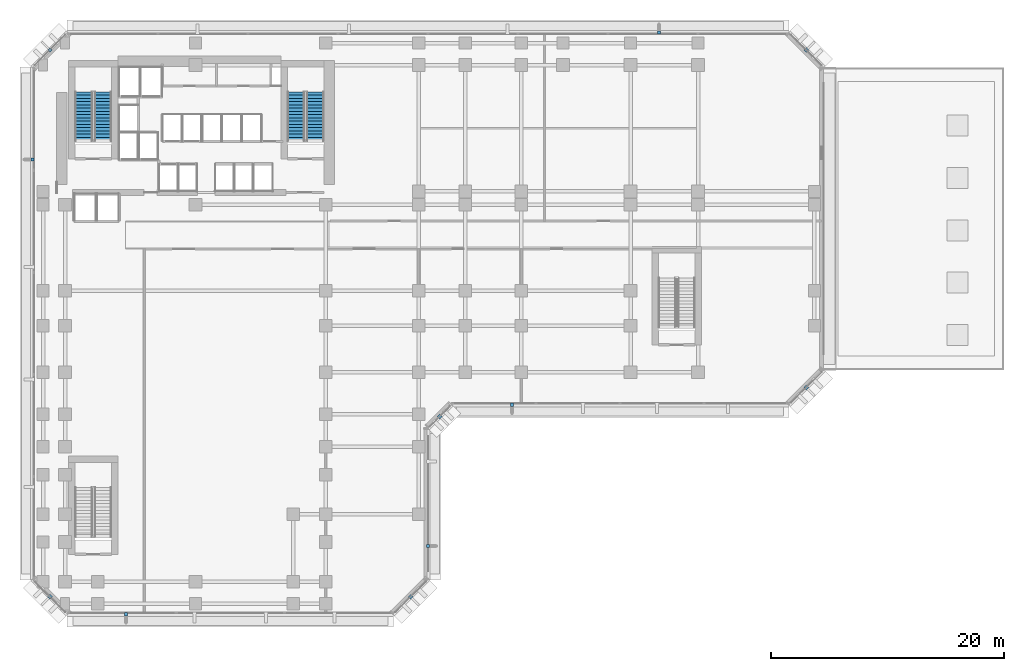
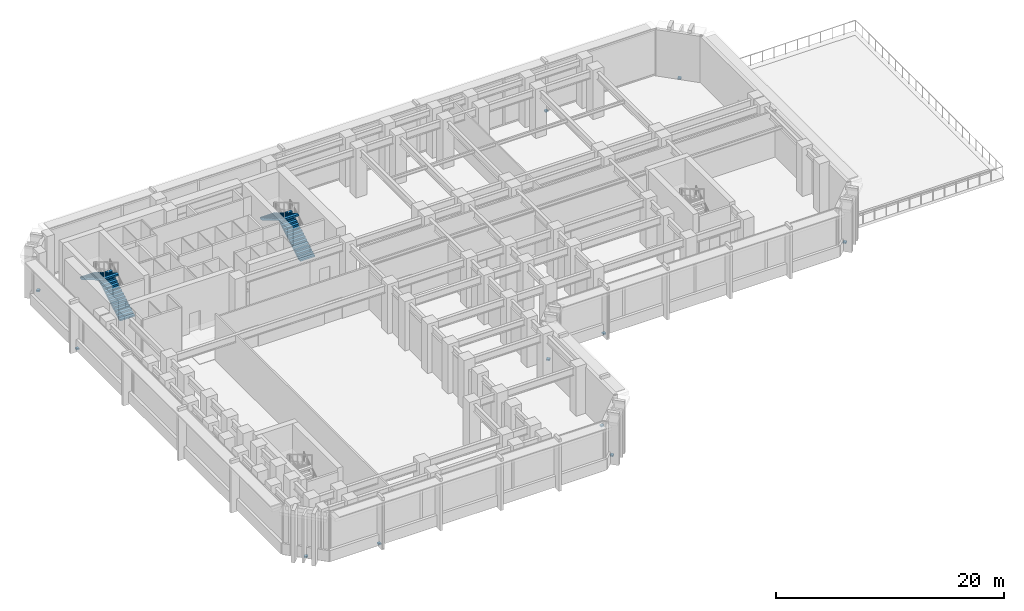
# One storey, part 9 of 16: 11 discrete accessories, 4 stair flights, 2 elements without a shape of their own.
"""IFC4 building model written with IfcOpenShell, lengths in metres."""

from ifc_helpers import new_model, si_unit, direction, frame, origin, origin_2d, place, context, subcontext, project, spatial, polyline, rectangle, outline, extrude, material, layer, layer_set, type_object, element, aggregate, save


model = new_model("IFC4")

# Units and contexts
model_context = context("Model", 3, precision=1e-05, world=origin(), true_north=direction((0.0, 1.0)))
body_context = subcontext(model_context, "Body", "Model", "MODEL_VIEW")
ifc_project = project(units=[si_unit("LENGTHUNIT", "METRE"), si_unit("AREAUNIT", "SQUARE_METRE"), si_unit("VOLUMEUNIT", "CUBIC_METRE"), si_unit("PLANEANGLEUNIT", "RADIAN"), si_unit("MASSUNIT", "GRAM", prefix="KILO")], contexts=[model_context])

# Site, building, storey
site_placement = place(None, origin())
site = spatial("IfcSite", under=ifc_project, at=site_placement, CompositionType="ELEMENT")
building_placement = place(site_placement, origin())
building = spatial("IfcBuilding", under=site, at=building_placement, Name="Kefirva Bronze Tower", CompositionType="ELEMENT")
storey_placement = place(building_placement, frame((0.0, 0.0, 11.219970703125)))
storey = spatial("IfcBuildingStorey", under=building, at=storey_placement, Name="L02", CompositionType="ELEMENT", Elevation=11.219970703125)

# Stair, stair flights
ifc_material_1 = material(Name="Concrete C40/50", Category="concrete")
stair_type = type_object("IfcStairType", Name="RC Dogleg Protected Stair 32R", PredefinedType="HALF_TURN_STAIR", material=ifc_material_1)
stair_1_placement = place(storey_placement, origin())
stair_1 = element("IfcStair", 1, at=stair_1_placement, inside=storey, type_object=stair_type, Name="L02 Protected Exit Stair 1", PredefinedType="HALF_TURN_STAIR")
stair_flight_type = type_object("IfcStairFlightType", Name="RC Straight Stair Flight 32R", PredefinedType="STRAIGHT", material=ifc_material_1)
stair_flight_1_placement = place(storey_placement, frame((4.050048828125, 38.699951171875, 0.0), z_axis=(0.0, 0.0, 1.0), x_axis=(0.0, 1.0, 0.0)))
stair_flight_1 = element("IfcStairFlight", 2, at=stair_flight_1_placement, type_object=stair_flight_type, Name="ST-1 flight 1", NumberOfRisers=16, NumberOfTreads=15, PredefinedType="STRAIGHT", RiserHeight=0.165, TreadLength=0.28, context=body_context, shape_type="SweptSolid", body=[
    extrude(outline(polyline([(0.0, 0.0), (0.0, 0.1650390625), (0.280029296875, 0.1650390625), (0.280029296875, 0.330078125), (0.56005859375, 0.330078125), (0.56005859375, 0.4951171875), (0.840087890625, 0.4951171875), (0.840087890625, 0.659912109375), (1.1201171875, 0.659912109375), (1.1201171875, 0.824951171875), (1.39990234375, 0.824951171875), (1.39990234375, 0.989990234375), (1.679931640625, 0.989990234375), (1.679931640625, 1.155029296875), (1.9599609375, 1.155029296875), (1.9599609375, 1.320068359375), (2.239990234375, 1.320068359375), (2.239990234375, 1.485107421875), (2.52001953125, 1.485107421875), (2.52001953125, 1.64990234375), (2.800048828125, 1.64990234375), (2.800048828125, 1.81494140625), (3.080078125, 1.81494140625), (3.080078125, 1.97998046875), (3.360107421875, 1.97998046875), (3.360107421875, 2.14501953125), (3.639892578125, 2.14501953125), (3.639892578125, 2.31005859375), (3.919921875, 2.31005859375), (3.919921875, 2.47509765625), (4.199951171875, 2.47509765625), (4.199951171875, 2.639892578125), (4.199951171875, 2.301025390625), (0.295166015625, 0.0), (0.0, 0.0)])), frame((0.0, 0.75, 0.0), z_axis=(0.0, -1.0, 0.0), x_axis=(1.0, 0.0, 0.0)), (0.0, 0.0, 1.0), 1.5),
])
stair_flight_2_placement = place(storey_placement, frame((2.39990234375, 42.89990234375, 2.64013671875), z_axis=(0.0, 0.0, 1.0), x_axis=(0.0, -1.0, 0.0)))
stair_flight_2 = element("IfcStairFlight", 3, at=stair_flight_2_placement, type_object=stair_flight_type, Name="ST-1 flight 2", NumberOfRisers=16, NumberOfTreads=15, PredefinedType="STRAIGHT", RiserHeight=0.165, TreadLength=0.28, context=body_context, shape_type="SweptSolid", body=[
    extrude(outline(polyline([(0.0, 0.0), (0.0, 0.1650390625), (0.280029296875, 0.1650390625), (0.280029296875, 0.330078125), (0.56005859375, 0.330078125), (0.56005859375, 0.4951171875), (0.840087890625, 0.4951171875), (0.840087890625, 0.659912109375), (1.1201171875, 0.659912109375), (1.1201171875, 0.824951171875), (1.39990234375, 0.824951171875), (1.39990234375, 0.989990234375), (1.679931640625, 0.989990234375), (1.679931640625, 1.155029296875), (1.9599609375, 1.155029296875), (1.9599609375, 1.320068359375), (2.239990234375, 1.320068359375), (2.239990234375, 1.485107421875), (2.52001953125, 1.485107421875), (2.52001953125, 1.64990234375), (2.800048828125, 1.64990234375), (2.800048828125, 1.81494140625), (3.080078125, 1.81494140625), (3.080078125, 1.97998046875), (3.360107421875, 1.97998046875), (3.360107421875, 2.14501953125), (3.639892578125, 2.14501953125), (3.639892578125, 2.31005859375), (3.919921875, 2.31005859375), (3.919921875, 2.47509765625), (4.199951171875, 2.47509765625), (4.199951171875, 2.639892578125), (4.199951171875, 2.301025390625), (0.295166015625, 0.0), (0.0, 0.0)])), frame((0.0, 0.75, 0.0), z_axis=(0.0, -1.0, 0.0), x_axis=(1.0, 0.0, 0.0)), (0.0, 0.0, 1.0), 1.5),
])
aggregate(stair_1, [stair_flight_1, stair_flight_2])

stair_2_placement = place(storey_placement, origin())
stair_2 = element("IfcStair", 4, at=stair_2_placement, inside=storey, type_object=stair_type, Name="L02 Protected Exit Stair 2", PredefinedType="HALF_TURN_STAIR")
stair_flight_3_placement = place(storey_placement, frame((22.300048828125, 38.699951171875, 0.0), z_axis=(0.0, 0.0, 1.0), x_axis=(0.0, 1.0, 0.0)))
stair_flight_3 = element("IfcStairFlight", 5, at=stair_flight_3_placement, type_object=stair_flight_type, Name="ST-2 flight 1", NumberOfRisers=16, NumberOfTreads=15, PredefinedType="STRAIGHT", RiserHeight=0.165, TreadLength=0.28, context=body_context, shape_type="SweptSolid", body=[
    extrude(outline(polyline([(0.0, 0.0), (0.0, 0.1650390625), (0.280029296875, 0.1650390625), (0.280029296875, 0.330078125), (0.56005859375, 0.330078125), (0.56005859375, 0.4951171875), (0.840087890625, 0.4951171875), (0.840087890625, 0.659912109375), (1.1201171875, 0.659912109375), (1.1201171875, 0.824951171875), (1.39990234375, 0.824951171875), (1.39990234375, 0.989990234375), (1.679931640625, 0.989990234375), (1.679931640625, 1.155029296875), (1.9599609375, 1.155029296875), (1.9599609375, 1.320068359375), (2.239990234375, 1.320068359375), (2.239990234375, 1.485107421875), (2.52001953125, 1.485107421875), (2.52001953125, 1.64990234375), (2.800048828125, 1.64990234375), (2.800048828125, 1.81494140625), (3.080078125, 1.81494140625), (3.080078125, 1.97998046875), (3.360107421875, 1.97998046875), (3.360107421875, 2.14501953125), (3.639892578125, 2.14501953125), (3.639892578125, 2.31005859375), (3.919921875, 2.31005859375), (3.919921875, 2.47509765625), (4.199951171875, 2.47509765625), (4.199951171875, 2.639892578125), (4.199951171875, 2.301025390625), (0.295166015625, 0.0), (0.0, 0.0)])), frame((0.0, 0.75, 0.0), z_axis=(0.0, -1.0, 0.0), x_axis=(1.0, 0.0, 0.0)), (0.0, 0.0, 1.0), 1.5),
])
stair_flight_4_placement = place(storey_placement, frame((20.64990234375, 42.89990234375, 2.64013671875), z_axis=(0.0, 0.0, 1.0), x_axis=(0.0, -1.0, 0.0)))
stair_flight_4 = element("IfcStairFlight", 6, at=stair_flight_4_placement, type_object=stair_flight_type, Name="ST-2 flight 2", NumberOfRisers=16, NumberOfTreads=15, PredefinedType="STRAIGHT", RiserHeight=0.165, TreadLength=0.28, context=body_context, shape_type="SweptSolid", body=[
    extrude(outline(polyline([(0.0, 0.0), (0.0, 0.1650390625), (0.280029296875, 0.1650390625), (0.280029296875, 0.330078125), (0.56005859375, 0.330078125), (0.56005859375, 0.4951171875), (0.840087890625, 0.4951171875), (0.840087890625, 0.659912109375), (1.1201171875, 0.659912109375), (1.1201171875, 0.824951171875), (1.39990234375, 0.824951171875), (1.39990234375, 0.989990234375), (1.679931640625, 0.989990234375), (1.679931640625, 1.155029296875), (1.9599609375, 1.155029296875), (1.9599609375, 1.320068359375), (2.239990234375, 1.320068359375), (2.239990234375, 1.485107421875), (2.52001953125, 1.485107421875), (2.52001953125, 1.64990234375), (2.800048828125, 1.64990234375), (2.800048828125, 1.81494140625), (3.080078125, 1.81494140625), (3.080078125, 1.97998046875), (3.360107421875, 1.97998046875), (3.360107421875, 2.14501953125), (3.639892578125, 2.14501953125), (3.639892578125, 2.31005859375), (3.919921875, 2.31005859375), (3.919921875, 2.47509765625), (4.199951171875, 2.47509765625), (4.199951171875, 2.639892578125), (4.199951171875, 2.301025390625), (0.295166015625, 0.0), (0.0, 0.0)])), frame((0.0, 0.75, 0.0), z_axis=(0.0, -1.0, 0.0), x_axis=(1.0, 0.0, 0.0)), (0.0, 0.0, 1.0), 1.5),
])
aggregate(stair_2, [stair_flight_3, stair_flight_4])

# Discrete accessories
ifc_material_2 = material(Name="Stainless steel 316", Category="steel")
ifc_layer = layer(ifc_material_2, 0.159912109375, Name="Stainless steel 316")
ifc_layer_set = layer_set([ifc_layer], Name="Stainless steel 316")
discrete_accessory_type = type_object("IfcDiscreteAccessoryType", Name="Stainless Facade Outrigger Bracket", PredefinedType="BRACKET", material=ifc_layer_set)
discrete_accessory_1_placement = place(storey_placement, frame((6.0400390625, -2.0, -0.16015625), z_axis=(0.0, 0.0, 1.0), x_axis=(1.0, 0.0, 0.0)))
element("IfcDiscreteAccessory", 7, at=discrete_accessory_1_placement, inside=storey, type_object=discrete_accessory_type, Name="L02 Rib Outrigger Bracket 1", PredefinedType="BRACKET", context=body_context, shape_type="SweptSolid", body=[
    extrude(rectangle(XDim=0.280029296875, YDim=0.280029296875, at=origin_2d()), origin(), (0.0, 0.0, 1.0), 0.159912109375),
])
discrete_accessory_2_placement = place(storey_placement, frame((30.5, -0.5, -0.16015625), z_axis=(0.0, 0.0, 1.0), x_axis=(0.707106781187, 0.707106781187, 0.0)))
element("IfcDiscreteAccessory", 8, at=discrete_accessory_2_placement, inside=storey, type_object=discrete_accessory_type, Name="L02 Corner Fin Outrigger Bracket 6", PredefinedType="BRACKET", context=body_context, shape_type="SweptSolid", body=[
    extrude(rectangle(XDim=0.300048828125, YDim=0.300048828125, at=origin_2d()), origin(), (0.0, 0.0, 1.0), 0.159912109375),
])
discrete_accessory_3_placement = place(storey_placement, frame((32.0, 3.860107421875, -0.16015625), z_axis=(0.0, 0.0, 1.0), x_axis=(0.0, 1.0, 0.0)))
element("IfcDiscreteAccessory", 9, at=discrete_accessory_3_placement, inside=storey, type_object=discrete_accessory_type, Name="L02 Rib Outrigger Bracket 7", PredefinedType="BRACKET", context=body_context, shape_type="SweptSolid", body=[
    extrude(rectangle(XDim=0.280029296875, YDim=0.280029296875, at=origin_2d()), origin(), (0.0, 0.0, 1.0), 0.159912109375),
])
discrete_accessory_4_placement = place(storey_placement, frame((33.0, 15.0, -0.16015625), z_axis=(0.0, 0.0, 1.0), x_axis=(0.707106781187, 0.707106781187, 0.0)))
element("IfcDiscreteAccessory", 10, at=discrete_accessory_4_placement, inside=storey, type_object=discrete_accessory_type, Name="L02 Corner Fin Outrigger Bracket 10", PredefinedType="BRACKET", context=body_context, shape_type="SweptSolid", body=[
    extrude(rectangle(XDim=0.300048828125, YDim=0.300048828125, at=origin_2d()), origin(), (0.0, 0.0, 1.0), 0.159912109375),
])
discrete_accessory_5_placement = place(storey_placement, frame((39.219970703125, 16.0, -0.16015625), z_axis=(0.0, 0.0, 1.0), x_axis=(1.0, 0.0, 0.0)))
element("IfcDiscreteAccessory", 11, at=discrete_accessory_5_placement, inside=storey, type_object=discrete_accessory_type, Name="L02 Rib Outrigger Bracket 11", PredefinedType="BRACKET", context=body_context, shape_type="SweptSolid", body=[
    extrude(rectangle(XDim=0.280029296875, YDim=0.280029296875, at=origin_2d()), origin(), (0.0, 0.0, 1.0), 0.159912109375),
])
for number, where, z_axis, x_axis, name in (
    (12, (64.5, 17.5, -0.16015625), (0.0, 0.0, 1.0), (0.707106781187, 0.707106781187, 0.0), "L02 Corner Fin Outrigger Bracket 16"),
    (13, (64.5, 46.5, -0.16015625), (0.0, 0.0, 1.0), (-0.707106781187, 0.707106781187, 0.0), "L02 Corner Fin Outrigger Bracket 18"),
):
    element("IfcDiscreteAccessory", number, at=place(storey_placement, frame(where, z_axis=z_axis, x_axis=x_axis)), inside=storey, type_object=discrete_accessory_type, Name=name, PredefinedType="BRACKET", context=body_context, shape_type="SweptSolid", body=[
        extrude(rectangle(XDim=0.300048828125, YDim=0.300048828125, at=origin_2d()), origin(), (0.0, 0.0, 1.0), 0.159912109375),
    ])
discrete_accessory_6_placement = place(storey_placement, frame((51.840087890625, 48.0, -0.16015625), z_axis=(0.0, 0.0, 1.0), x_axis=(-1.0, 0.0, 0.0)))
element("IfcDiscreteAccessory", 14, at=discrete_accessory_6_placement, inside=storey, type_object=discrete_accessory_type, Name="L02 Rib Outrigger Bracket 19", PredefinedType="BRACKET", context=body_context, shape_type="SweptSolid", body=[
    extrude(rectangle(XDim=0.280029296875, YDim=0.280029296875, at=origin_2d()), origin(), (0.0, 0.0, 1.0), 0.159912109375),
])
discrete_accessory_7_placement = place(storey_placement, frame((-0.5, 46.5, -0.16015625), z_axis=(0.0, 0.0, 1.0), x_axis=(-0.707106781187, -0.707106781187, 0.0)))
element("IfcDiscreteAccessory", 15, at=discrete_accessory_7_placement, inside=storey, type_object=discrete_accessory_type, Name="L02 Corner Fin Outrigger Bracket 24", PredefinedType="BRACKET", context=body_context, shape_type="SweptSolid", body=[
    extrude(rectangle(XDim=0.300048828125, YDim=0.300048828125, at=origin_2d()), origin(), (0.0, 0.0, 1.0), 0.159912109375),
])
discrete_accessory_8_placement = place(storey_placement, frame((-2.0, 37.080078125, -0.16015625), z_axis=(0.0, 0.0, 1.0), x_axis=(0.0, -1.0, 0.0)))
element("IfcDiscreteAccessory", 16, at=discrete_accessory_8_placement, inside=storey, type_object=discrete_accessory_type, Name="L02 Rib Outrigger Bracket 25", PredefinedType="BRACKET", context=body_context, shape_type="SweptSolid", body=[
    extrude(rectangle(XDim=0.280029296875, YDim=0.280029296875, at=origin_2d()), origin(), (0.0, 0.0, 1.0), 0.159912109375),
])
discrete_accessory_9_placement = place(storey_placement, frame((-0.5, -0.5, -0.16015625), z_axis=(0.0, 0.0, 1.0), x_axis=(0.707106781187, -0.707106781187, 0.0)))
element("IfcDiscreteAccessory", 17, at=discrete_accessory_9_placement, inside=storey, type_object=discrete_accessory_type, Name="L02 Corner Fin Outrigger Bracket 30", PredefinedType="BRACKET", context=body_context, shape_type="SweptSolid", body=[
    extrude(rectangle(XDim=0.300048828125, YDim=0.300048828125, at=origin_2d()), origin(), (0.0, 0.0, 1.0), 0.159912109375),
])

save(model, "model.ifc")
